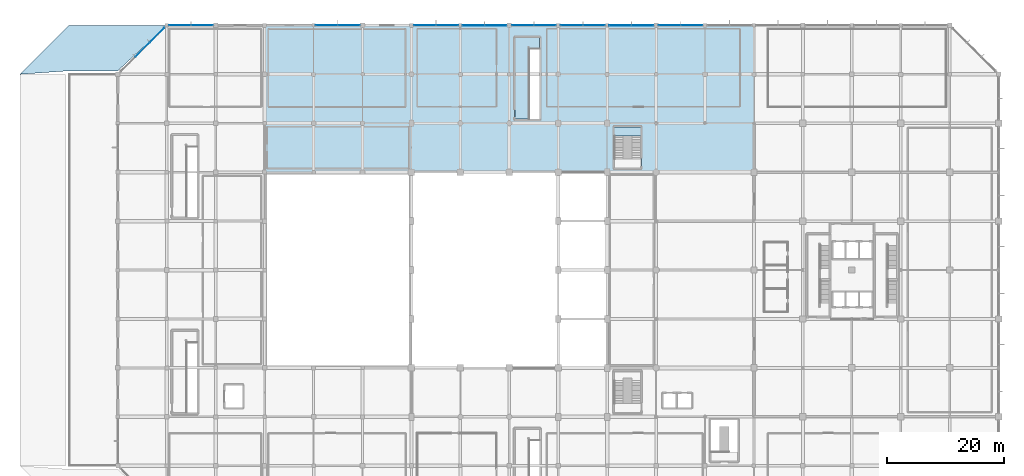
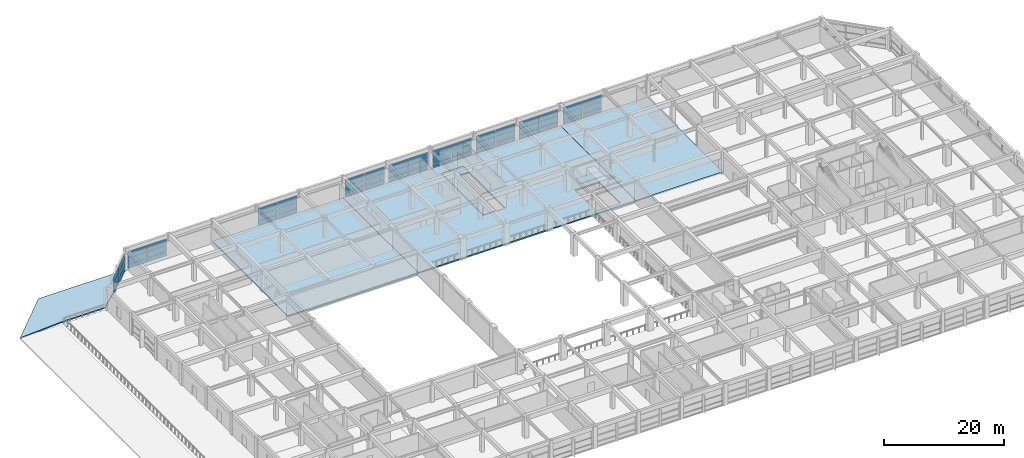
# One storey, part 38 of 56: 54 plates, 6 slabs, 10 elements without a shape of their own.
"""IFC4 building model written with IfcOpenShell, lengths in metres."""

from ifc_helpers import new_model, si_unit, direction, frame, origin, origin_2d, place, context, subcontext, project, spatial, polyline, rectangle, outline, extrude, material, layer, layer_set, type_object, element, aggregate, save


model = new_model("IFC4")

# Units and contexts
model_context = context("Model", 3, precision=1e-05, world=origin(), true_north=direction((0.0, 1.0)))
body_context = subcontext(model_context, "Body", "Model", "MODEL_VIEW")
ifc_project = project(units=[si_unit("LENGTHUNIT", "METRE"), si_unit("AREAUNIT", "SQUARE_METRE"), si_unit("VOLUMEUNIT", "CUBIC_METRE"), si_unit("PLANEANGLEUNIT", "RADIAN"), si_unit("MASSUNIT", "GRAM", prefix="KILO")], contexts=[model_context])

# Site, building, storey
site_placement = place(None, origin())
site = spatial("IfcSite", under=ifc_project, at=site_placement, CompositionType="ELEMENT")
building_placement = place(site_placement, origin())
building = spatial("IfcBuilding", under=site, at=building_placement, Name="Xuanlan Plaza Opera House", CompositionType="ELEMENT")
storey_placement = place(building_placement, frame((0.0, 0.0, 18.89990234375)))
storey = spatial("IfcBuildingStorey", under=building, at=storey_placement, Name="L04", CompositionType="ELEMENT", Elevation=18.89990234375)

# Curtain wall, plates
ifc_material_1 = material(Name="Anodised Aluminium 6063-T6 and Low-E Glass", Category="aluminium")
curtain_wall_type_1 = type_object("IfcCurtainWallType", Name="ENV-CW-CW-06", PredefinedType="USERDEFINED", material=ifc_material_1)
curtain_wall_1_placement = place(storey_placement, origin())
curtain_wall_1 = element("IfcCurtainWall", 1, at=curtain_wall_1_placement, inside=storey, type_object=curtain_wall_type_1, Name="Acoustic Glazed Wall L04-035", ObjectType="ACOUSTIC GLAZED WALL", PredefinedType="USERDEFINED")
ifc_material_2 = material(Name="Laminated Acoustic Double Glazing", Category="glass")
ifc_layer_1 = layer(ifc_material_2, 0.028076171875)
ifc_layer_set_1 = layer_set([ifc_layer_1], Name="Laminated Acoustic Double Glazing")
plate_type_1 = type_object("IfcPlateType", Name="ENV-CWP-01", PredefinedType="CURTAIN_PANEL", material=ifc_layer_set_1)
plate_1_placement = place(storey_placement, frame((90.111328125, 100.800048828125, 0.065185546875), z_axis=(0.0, 0.0, 1.0), x_axis=(-1.0, 0.0, 0.0)))
plate_1 = element("IfcPlate", 2, at=plate_1_placement, type_object=plate_type_1, Name="CW-06 panel 1.1", PredefinedType="CURTAIN_PANEL", context=body_context, shape_type="SweptSolid", body=[
    extrude(rectangle(XDim=3.70751953125, YDim=0.028076171875, at=origin_2d()), origin(), (0.0, 0.0, 1.0), 0.8525390625),
])
plate_2_placement = place(storey_placement, frame((90.111328125, 100.800048828125, 0.982421875), z_axis=(0.0, 0.0, 1.0), x_axis=(-1.0, 0.0, 0.0)))
plate_2 = element("IfcPlate", 3, at=plate_2_placement, type_object=plate_type_1, Name="CW-06 panel 1.2", PredefinedType="CURTAIN_PANEL", context=body_context, shape_type="SweptSolid", body=[
    extrude(rectangle(XDim=3.70751953125, YDim=0.028076171875, at=origin_2d()), origin(), (0.0, 0.0, 1.0), 1.235107421875),
])
plate_3_placement = place(storey_placement, frame((90.111328125, 100.800048828125, 2.282470703125), z_axis=(0.0, 0.0, 1.0), x_axis=(-1.0, 0.0, 0.0)))
plate_3 = element("IfcPlate", 4, at=plate_3_placement, type_object=plate_type_1, Name="CW-06 panel 1.3", PredefinedType="CURTAIN_PANEL", context=body_context, shape_type="SweptSolid", body=[
    extrude(rectangle(XDim=3.70751953125, YDim=0.028076171875, at=origin_2d()), origin(), (0.0, 0.0, 1.0), 1.33251953125),
])
plate_4_placement = place(storey_placement, frame((86.3388671875, 100.800048828125, 0.065185546875), z_axis=(0.0, 0.0, 1.0), x_axis=(-1.0, 0.0, 0.0)))
plate_4 = element("IfcPlate", 5, at=plate_4_placement, type_object=plate_type_1, Name="CW-06 panel 2.1", PredefinedType="CURTAIN_PANEL", context=body_context, shape_type="SweptSolid", body=[
    extrude(rectangle(XDim=3.70751953125, YDim=0.028076171875, at=origin_2d()), origin(), (0.0, 0.0, 1.0), 0.8525390625),
])
plate_5_placement = place(storey_placement, frame((86.3388671875, 100.800048828125, 0.982421875), z_axis=(0.0, 0.0, 1.0), x_axis=(-1.0, 0.0, 0.0)))
plate_5 = element("IfcPlate", 6, at=plate_5_placement, type_object=plate_type_1, Name="CW-06 panel 2.2", PredefinedType="CURTAIN_PANEL", context=body_context, shape_type="SweptSolid", body=[
    extrude(rectangle(XDim=3.70751953125, YDim=0.028076171875, at=origin_2d()), origin(), (0.0, 0.0, 1.0), 1.235107421875),
])
plate_6_placement = place(storey_placement, frame((86.3388671875, 100.800048828125, 2.282470703125), z_axis=(0.0, 0.0, 1.0), x_axis=(-1.0, 0.0, 0.0)))
plate_6 = element("IfcPlate", 7, at=plate_6_placement, type_object=plate_type_1, Name="CW-06 panel 2.3", PredefinedType="CURTAIN_PANEL", context=body_context, shape_type="SweptSolid", body=[
    extrude(rectangle(XDim=3.70751953125, YDim=0.028076171875, at=origin_2d()), origin(), (0.0, 0.0, 1.0), 1.33251953125),
])
aggregate(curtain_wall_1, [plate_1, plate_2, plate_3, plate_4, plate_5, plate_6])

curtain_wall_type_2 = type_object("IfcCurtainWallType", Name="ENV-CW-CW-05", PredefinedType="USERDEFINED", material=ifc_material_1)
curtain_wall_2_placement = place(storey_placement, origin())
curtain_wall_2 = element("IfcCurtainWall", 8, at=curtain_wall_2_placement, inside=storey, type_object=curtain_wall_type_2, Name="Acoustic Glazed Wall L04-032", ObjectType="ACOUSTIC GLAZED WALL", PredefinedType="USERDEFINED")
ifc_layer_2 = layer(ifc_material_2, 0.031982421875)
ifc_layer_set_2 = layer_set([ifc_layer_2], Name="Laminated Acoustic Double Glazing")
plate_type_2 = type_object("IfcPlateType", Name="ENV-CWP-02", PredefinedType="CURTAIN_PANEL", material=ifc_layer_set_2)
plate_7_placement = place(storey_placement, frame((115.308837890625, 100.800048828125, 0.090087890625), z_axis=(0.0, 0.0, 1.0), x_axis=(-1.0, 0.0, 0.0)))
plate_7 = element("IfcPlate", 9, at=plate_7_placement, type_object=plate_type_2, Name="CW-05 panel 1.1", PredefinedType="CURTAIN_PANEL", context=body_context, shape_type="SweptSolid", body=[
    extrude(rectangle(XDim=3.6923828125, YDim=0.031982421875, at=origin_2d()), origin(), (0.0, 0.0, 1.0), 0.81494140625),
])
plate_8_placement = place(storey_placement, frame((115.308837890625, 100.800048828125, 0.9951171875), z_axis=(0.0, 0.0, 1.0), x_axis=(-1.0, 0.0, 0.0)))
plate_8 = element("IfcPlate", 10, at=plate_8_placement, type_object=plate_type_2, Name="CW-05 panel 1.2", PredefinedType="CURTAIN_PANEL", context=body_context, shape_type="SweptSolid", body=[
    extrude(rectangle(XDim=3.6923828125, YDim=0.031982421875, at=origin_2d()), origin(), (0.0, 0.0, 1.0), 1.2099609375),
])
plate_9_placement = place(storey_placement, frame((115.308837890625, 100.800048828125, 2.295166015625), z_axis=(0.0, 0.0, 1.0), x_axis=(-1.0, 0.0, 0.0)))
plate_9 = element("IfcPlate", 11, at=plate_9_placement, type_object=plate_type_2, Name="CW-05 panel 1.3", PredefinedType="CURTAIN_PANEL", context=body_context, shape_type="SweptSolid", body=[
    extrude(rectangle(XDim=3.6923828125, YDim=0.031982421875, at=origin_2d()), origin(), (0.0, 0.0, 1.0), 1.294921875),
])
plate_10_placement = place(storey_placement, frame((111.541259765625, 100.800048828125, 0.090087890625), z_axis=(0.0, 0.0, 1.0), x_axis=(-1.0, 0.0, 0.0)))
plate_10 = element("IfcPlate", 12, at=plate_10_placement, type_object=plate_type_2, Name="CW-05 panel 2.1", PredefinedType="CURTAIN_PANEL", context=body_context, shape_type="SweptSolid", body=[
    extrude(rectangle(XDim=3.6923828125, YDim=0.031982421875, at=origin_2d()), origin(), (0.0, 0.0, 1.0), 0.81494140625),
])
plate_11_placement = place(storey_placement, frame((111.541259765625, 100.800048828125, 0.9951171875), z_axis=(0.0, 0.0, 1.0), x_axis=(-1.0, 0.0, 0.0)))
plate_11 = element("IfcPlate", 13, at=plate_11_placement, type_object=plate_type_2, Name="CW-05 panel 2.2", PredefinedType="CURTAIN_PANEL", context=body_context, shape_type="SweptSolid", body=[
    extrude(rectangle(XDim=3.6923828125, YDim=0.031982421875, at=origin_2d()), origin(), (0.0, 0.0, 1.0), 1.2099609375),
])
plate_12_placement = place(storey_placement, frame((111.541259765625, 100.800048828125, 2.295166015625), z_axis=(0.0, 0.0, 1.0), x_axis=(-1.0, 0.0, 0.0)))
plate_12 = element("IfcPlate", 14, at=plate_12_placement, type_object=plate_type_2, Name="CW-05 panel 2.3", PredefinedType="CURTAIN_PANEL", context=body_context, shape_type="SweptSolid", body=[
    extrude(rectangle(XDim=3.6923828125, YDim=0.031982421875, at=origin_2d()), origin(), (0.0, 0.0, 1.0), 1.294921875),
])
aggregate(curtain_wall_2, [plate_7, plate_8, plate_9, plate_10, plate_11, plate_12])

curtain_wall_3_placement = place(storey_placement, origin())
curtain_wall_3 = element("IfcCurtainWall", 15, at=curtain_wall_3_placement, inside=storey, type_object=curtain_wall_type_1, Name="Acoustic Glazed Wall L04-037", ObjectType="ACOUSTIC GLAZED WALL", PredefinedType="USERDEFINED")
plate_13_placement = place(storey_placement, frame((73.333740234375, 100.800048828125, 0.090087890625), z_axis=(0.0, 0.0, 1.0), x_axis=(-1.0, 0.0, 0.0)))
plate_13 = element("IfcPlate", 16, at=plate_13_placement, type_object=plate_type_2, Name="CW-06 panel 1.1", PredefinedType="CURTAIN_PANEL", context=body_context, shape_type="SweptSolid", body=[
    extrude(rectangle(XDim=3.742431640625, YDim=0.031982421875, at=origin_2d()), origin(), (0.0, 0.0, 1.0), 0.81494140625),
])
plate_14_placement = place(storey_placement, frame((73.333740234375, 100.800048828125, 0.9951171875), z_axis=(0.0, 0.0, 1.0), x_axis=(-1.0, 0.0, 0.0)))
plate_14 = element("IfcPlate", 17, at=plate_14_placement, type_object=plate_type_2, Name="CW-06 panel 1.2", PredefinedType="CURTAIN_PANEL", context=body_context, shape_type="SweptSolid", body=[
    extrude(rectangle(XDim=3.742431640625, YDim=0.031982421875, at=origin_2d()), origin(), (0.0, 0.0, 1.0), 1.2099609375),
])
plate_15_placement = place(storey_placement, frame((73.333740234375, 100.800048828125, 2.295166015625), z_axis=(0.0, 0.0, 1.0), x_axis=(-1.0, 0.0, 0.0)))
plate_15 = element("IfcPlate", 18, at=plate_15_placement, type_object=plate_type_2, Name="CW-06 panel 1.3", PredefinedType="CURTAIN_PANEL", context=body_context, shape_type="SweptSolid", body=[
    extrude(rectangle(XDim=3.742431640625, YDim=0.031982421875, at=origin_2d()), origin(), (0.0, 0.0, 1.0), 1.294921875),
])
plate_16_placement = place(storey_placement, frame((69.516357421875, 100.800048828125, 0.090087890625), z_axis=(0.0, 0.0, 1.0), x_axis=(-1.0, 0.0, 0.0)))
plate_16 = element("IfcPlate", 19, at=plate_16_placement, type_object=plate_type_2, Name="CW-06 panel 2.1", PredefinedType="CURTAIN_PANEL", context=body_context, shape_type="SweptSolid", body=[
    extrude(rectangle(XDim=3.742431640625, YDim=0.031982421875, at=origin_2d()), origin(), (0.0, 0.0, 1.0), 0.81494140625),
])
plate_17_placement = place(storey_placement, frame((69.516357421875, 100.800048828125, 0.9951171875), z_axis=(0.0, 0.0, 1.0), x_axis=(-1.0, 0.0, 0.0)))
plate_17 = element("IfcPlate", 20, at=plate_17_placement, type_object=plate_type_2, Name="CW-06 panel 2.2", PredefinedType="CURTAIN_PANEL", context=body_context, shape_type="SweptSolid", body=[
    extrude(rectangle(XDim=3.742431640625, YDim=0.031982421875, at=origin_2d()), origin(), (0.0, 0.0, 1.0), 1.2099609375),
])
plate_18_placement = place(storey_placement, frame((69.516357421875, 100.800048828125, 2.295166015625), z_axis=(0.0, 0.0, 1.0), x_axis=(-1.0, 0.0, 0.0)))
plate_18 = element("IfcPlate", 21, at=plate_18_placement, type_object=plate_type_2, Name="CW-06 panel 2.3", PredefinedType="CURTAIN_PANEL", context=body_context, shape_type="SweptSolid", body=[
    extrude(rectangle(XDim=3.742431640625, YDim=0.031982421875, at=origin_2d()), origin(), (0.0, 0.0, 1.0), 1.294921875),
])
aggregate(curtain_wall_3, [plate_13, plate_14, plate_15, plate_16, plate_17, plate_18])

curtain_wall_type_3 = type_object("IfcCurtainWallType", Name="ENV-CW-CW-04", PredefinedType="USERDEFINED", material=ifc_material_1)
curtain_wall_4_placement = place(storey_placement, origin())
curtain_wall_4 = element("IfcCurtainWall", 22, at=curtain_wall_4_placement, inside=storey, type_object=curtain_wall_type_3, Name="Unitised Curtain Wall L04-042", ObjectType="UNITISED CURTAIN WALL", PredefinedType="USERDEFINED")
plate_19_placement = place(storey_placement, frame((31.246337890625, 100.800048828125, 0.090087890625), z_axis=(0.0, 0.0, 1.0), x_axis=(-1.0, 0.0, 0.0)))
plate_19 = element("IfcPlate", 23, at=plate_19_placement, type_object=plate_type_2, Name="CW-04 panel 1.1", PredefinedType="CURTAIN_PANEL", context=body_context, shape_type="SweptSolid", body=[
    extrude(rectangle(XDim=3.717529296875, YDim=0.031982421875, at=origin_2d()), origin(), (0.0, 0.0, 1.0), 0.81494140625),
])
plate_20_placement = place(storey_placement, frame((31.246337890625, 100.800048828125, 0.9951171875), z_axis=(0.0, 0.0, 1.0), x_axis=(-1.0, 0.0, 0.0)))
plate_20 = element("IfcPlate", 24, at=plate_20_placement, type_object=plate_type_2, Name="CW-04 panel 1.2", PredefinedType="CURTAIN_PANEL", context=body_context, shape_type="SweptSolid", body=[
    extrude(rectangle(XDim=3.717529296875, YDim=0.031982421875, at=origin_2d()), origin(), (0.0, 0.0, 1.0), 1.2099609375),
])
plate_21_placement = place(storey_placement, frame((31.246337890625, 100.800048828125, 2.295166015625), z_axis=(0.0, 0.0, 1.0), x_axis=(-1.0, 0.0, 0.0)))
plate_21 = element("IfcPlate", 25, at=plate_21_placement, type_object=plate_type_2, Name="CW-04 panel 1.3", PredefinedType="CURTAIN_PANEL", context=body_context, shape_type="SweptSolid", body=[
    extrude(rectangle(XDim=3.717529296875, YDim=0.031982421875, at=origin_2d()), origin(), (0.0, 0.0, 1.0), 1.294921875),
])
plate_22_placement = place(storey_placement, frame((27.453857421875, 100.800048828125, 0.090087890625), z_axis=(0.0, 0.0, 1.0), x_axis=(-1.0, 0.0, 0.0)))
plate_22 = element("IfcPlate", 26, at=plate_22_placement, type_object=plate_type_2, Name="CW-04 panel 2.1", PredefinedType="CURTAIN_PANEL", context=body_context, shape_type="SweptSolid", body=[
    extrude(rectangle(XDim=3.717529296875, YDim=0.031982421875, at=origin_2d()), origin(), (0.0, 0.0, 1.0), 0.81494140625),
])
plate_23_placement = place(storey_placement, frame((27.453857421875, 100.800048828125, 0.9951171875), z_axis=(0.0, 0.0, 1.0), x_axis=(-1.0, 0.0, 0.0)))
plate_23 = element("IfcPlate", 27, at=plate_23_placement, type_object=plate_type_2, Name="CW-04 panel 2.2", PredefinedType="CURTAIN_PANEL", context=body_context, shape_type="SweptSolid", body=[
    extrude(rectangle(XDim=3.717529296875, YDim=0.031982421875, at=origin_2d()), origin(), (0.0, 0.0, 1.0), 1.2099609375),
])
plate_24_placement = place(storey_placement, frame((27.453857421875, 100.800048828125, 2.295166015625), z_axis=(0.0, 0.0, 1.0), x_axis=(-1.0, 0.0, 0.0)))
plate_24 = element("IfcPlate", 28, at=plate_24_placement, type_object=plate_type_2, Name="CW-04 panel 2.3", PredefinedType="CURTAIN_PANEL", context=body_context, shape_type="SweptSolid", body=[
    extrude(rectangle(XDim=3.717529296875, YDim=0.031982421875, at=origin_2d()), origin(), (0.0, 0.0, 1.0), 1.294921875),
])
aggregate(curtain_wall_4, [plate_19, plate_20, plate_21, plate_22, plate_23, plate_24])

curtain_wall_5_placement = place(storey_placement, origin())
curtain_wall_5 = element("IfcCurtainWall", 29, at=curtain_wall_5_placement, inside=storey, type_object=curtain_wall_type_2, Name="Acoustic Glazed Wall L04-034", ObjectType="ACOUSTIC GLAZED WALL", PredefinedType="USERDEFINED")
ifc_layer_3 = layer(ifc_material_2, 0.035888671875)
ifc_layer_set_3 = layer_set([ifc_layer_3], Name="Laminated Acoustic Double Glazing")
plate_type_3 = type_object("IfcPlateType", Name="ENV-CWP-03", PredefinedType="CURTAIN_PANEL", material=ifc_layer_set_3)
plate_25_placement = place(storey_placement, frame((98.530029296875, 100.800048828125, 0.080078125), z_axis=(0.0, 0.0, 1.0), x_axis=(-1.0, 0.0, 0.0)))
plate_25 = element("IfcPlate", 30, at=plate_25_placement, type_object=plate_type_3, Name="CW-05 panel 1.1", PredefinedType="CURTAIN_PANEL", context=body_context, shape_type="SweptSolid", body=[
    extrude(rectangle(XDim=3.719970703125, YDim=0.035888671875, at=origin_2d()), origin(), (0.0, 0.0, 1.0), 0.830078125),
])
plate_26_placement = place(storey_placement, frame((98.530029296875, 100.800048828125, 0.990234375), z_axis=(0.0, 0.0, 1.0), x_axis=(-1.0, 0.0, 0.0)))
plate_26 = element("IfcPlate", 31, at=plate_26_placement, type_object=plate_type_3, Name="CW-05 panel 1.2", PredefinedType="CURTAIN_PANEL", context=body_context, shape_type="SweptSolid", body=[
    extrude(rectangle(XDim=3.719970703125, YDim=0.035888671875, at=origin_2d()), origin(), (0.0, 0.0, 1.0), 1.219970703125),
])
plate_27_placement = place(storey_placement, frame((98.530029296875, 100.800048828125, 2.2900390625), z_axis=(0.0, 0.0, 1.0), x_axis=(-1.0, 0.0, 0.0)))
plate_27 = element("IfcPlate", 32, at=plate_27_placement, type_object=plate_type_3, Name="CW-05 panel 1.3", PredefinedType="CURTAIN_PANEL", context=body_context, shape_type="SweptSolid", body=[
    extrude(rectangle(XDim=3.719970703125, YDim=0.035888671875, at=origin_2d()), origin(), (0.0, 0.0, 1.0), 1.31005859375),
])
plate_28_placement = place(storey_placement, frame((94.719970703125, 100.800048828125, 0.080078125), z_axis=(0.0, 0.0, 1.0), x_axis=(-1.0, 0.0, 0.0)))
plate_28 = element("IfcPlate", 33, at=plate_28_placement, type_object=plate_type_3, Name="CW-05 panel 2.1", PredefinedType="CURTAIN_PANEL", context=body_context, shape_type="SweptSolid", body=[
    extrude(rectangle(XDim=3.719970703125, YDim=0.035888671875, at=origin_2d()), origin(), (0.0, 0.0, 1.0), 0.830078125),
])
plate_29_placement = place(storey_placement, frame((94.719970703125, 100.800048828125, 0.990234375), z_axis=(0.0, 0.0, 1.0), x_axis=(-1.0, 0.0, 0.0)))
plate_29 = element("IfcPlate", 34, at=plate_29_placement, type_object=plate_type_3, Name="CW-05 panel 2.2", PredefinedType="CURTAIN_PANEL", context=body_context, shape_type="SweptSolid", body=[
    extrude(rectangle(XDim=3.719970703125, YDim=0.035888671875, at=origin_2d()), origin(), (0.0, 0.0, 1.0), 1.219970703125),
])
plate_30_placement = place(storey_placement, frame((94.719970703125, 100.800048828125, 2.2900390625), z_axis=(0.0, 0.0, 1.0), x_axis=(-1.0, 0.0, 0.0)))
plate_30 = element("IfcPlate", 35, at=plate_30_placement, type_object=plate_type_3, Name="CW-05 panel 2.3", PredefinedType="CURTAIN_PANEL", context=body_context, shape_type="SweptSolid", body=[
    extrude(rectangle(XDim=3.719970703125, YDim=0.035888671875, at=origin_2d()), origin(), (0.0, 0.0, 1.0), 1.31005859375),
])
aggregate(curtain_wall_5, [plate_25, plate_26, plate_27, plate_28, plate_29, plate_30])

curtain_wall_type_4 = type_object("IfcCurtainWallType", Name="ENV-CW-CW-01", PredefinedType="USERDEFINED", material=ifc_material_1)
curtain_wall_6_placement = place(storey_placement, origin())
curtain_wall_6 = element("IfcCurtainWall", 36, at=curtain_wall_6_placement, inside=storey, type_object=curtain_wall_type_4, Name="Unitised Curtain Wall L04-039", ObjectType="UNITISED CURTAIN WALL", PredefinedType="USERDEFINED")
plate_31_placement = place(storey_placement, frame((56.4423828125, 100.800048828125, 0.080078125), z_axis=(0.0, 0.0, 1.0), x_axis=(-1.0, 0.0, 0.0)))
plate_31 = element("IfcPlate", 37, at=plate_31_placement, type_object=plate_type_3, Name="CW-01 panel 1.1", PredefinedType="CURTAIN_PANEL", context=body_context, shape_type="SweptSolid", body=[
    extrude(rectangle(XDim=3.695068359375, YDim=0.035888671875, at=origin_2d()), origin(), (0.0, 0.0, 1.0), 0.830078125),
])
plate_32_placement = place(storey_placement, frame((56.4423828125, 100.800048828125, 0.990234375), z_axis=(0.0, 0.0, 1.0), x_axis=(-1.0, 0.0, 0.0)))
plate_32 = element("IfcPlate", 38, at=plate_32_placement, type_object=plate_type_3, Name="CW-01 panel 1.2", PredefinedType="CURTAIN_PANEL", context=body_context, shape_type="SweptSolid", body=[
    extrude(rectangle(XDim=3.695068359375, YDim=0.035888671875, at=origin_2d()), origin(), (0.0, 0.0, 1.0), 1.219970703125),
])
plate_33_placement = place(storey_placement, frame((56.4423828125, 100.800048828125, 2.2900390625), z_axis=(0.0, 0.0, 1.0), x_axis=(-1.0, 0.0, 0.0)))
plate_33 = element("IfcPlate", 39, at=plate_33_placement, type_object=plate_type_3, Name="CW-01 panel 1.3", PredefinedType="CURTAIN_PANEL", context=body_context, shape_type="SweptSolid", body=[
    extrude(rectangle(XDim=3.695068359375, YDim=0.035888671875, at=origin_2d()), origin(), (0.0, 0.0, 1.0), 1.31005859375),
])
plate_34_placement = place(storey_placement, frame((52.657470703125, 100.800048828125, 0.080078125), z_axis=(0.0, 0.0, 1.0), x_axis=(-1.0, 0.0, 0.0)))
plate_34 = element("IfcPlate", 40, at=plate_34_placement, type_object=plate_type_3, Name="CW-01 panel 2.1", PredefinedType="CURTAIN_PANEL", context=body_context, shape_type="SweptSolid", body=[
    extrude(rectangle(XDim=3.695068359375, YDim=0.035888671875, at=origin_2d()), origin(), (0.0, 0.0, 1.0), 0.830078125),
])
plate_35_placement = place(storey_placement, frame((52.657470703125, 100.800048828125, 0.990234375), z_axis=(0.0, 0.0, 1.0), x_axis=(-1.0, 0.0, 0.0)))
plate_35 = element("IfcPlate", 41, at=plate_35_placement, type_object=plate_type_3, Name="CW-01 panel 2.2", PredefinedType="CURTAIN_PANEL", context=body_context, shape_type="SweptSolid", body=[
    extrude(rectangle(XDim=3.695068359375, YDim=0.035888671875, at=origin_2d()), origin(), (0.0, 0.0, 1.0), 1.219970703125),
])
plate_36_placement = place(storey_placement, frame((52.657470703125, 100.800048828125, 2.2900390625), z_axis=(0.0, 0.0, 1.0), x_axis=(-1.0, 0.0, 0.0)))
plate_36 = element("IfcPlate", 42, at=plate_36_placement, type_object=plate_type_3, Name="CW-01 panel 2.3", PredefinedType="CURTAIN_PANEL", context=body_context, shape_type="SweptSolid", body=[
    extrude(rectangle(XDim=3.695068359375, YDim=0.035888671875, at=origin_2d()), origin(), (0.0, 0.0, 1.0), 1.31005859375),
])
aggregate(curtain_wall_6, [plate_31, plate_32, plate_33, plate_34, plate_35, plate_36])

curtain_wall_7_placement = place(storey_placement, origin())
curtain_wall_7 = element("IfcCurtainWall", 43, at=curtain_wall_7_placement, inside=storey, type_object=curtain_wall_type_2, Name="Acoustic Glazed Wall L04-036", ObjectType="ACOUSTIC GLAZED WALL", PredefinedType="USERDEFINED")
ifc_layer_4 = layer(ifc_material_2, 0.0400390625)
ifc_layer_set_4 = layer_set([ifc_layer_4], Name="Laminated Acoustic Double Glazing")
plate_type_4 = type_object("IfcPlateType", Name="ENV-CWP-04", PredefinedType="CURTAIN_PANEL", material=ifc_layer_set_4)
plate_37_placement = place(storey_placement, frame((81.6474609375, 100.800048828125, 0.0751953125), z_axis=(0.0, 0.0, 1.0), x_axis=(-1.0, 0.0, 0.0)))
plate_37 = element("IfcPlate", 44, at=plate_37_placement, type_object=plate_type_4, Name="CW-05 panel 1.1", PredefinedType="CURTAIN_PANEL", context=body_context, shape_type="SweptSolid", body=[
    extrude(rectangle(XDim=3.72509765625, YDim=0.0400390625, at=origin_2d()), origin(), (0.0, 0.0, 1.0), 0.83740234375),
])
plate_38_placement = place(storey_placement, frame((81.6474609375, 100.800048828125, 0.987548828125), z_axis=(0.0, 0.0, 1.0), x_axis=(-1.0, 0.0, 0.0)))
plate_38 = element("IfcPlate", 45, at=plate_38_placement, type_object=plate_type_4, Name="CW-05 panel 1.2", PredefinedType="CURTAIN_PANEL", context=body_context, shape_type="SweptSolid", body=[
    extrude(rectangle(XDim=3.72509765625, YDim=0.0400390625, at=origin_2d()), origin(), (0.0, 0.0, 1.0), 1.22509765625),
])
plate_39_placement = place(storey_placement, frame((81.6474609375, 100.800048828125, 2.28759765625), z_axis=(0.0, 0.0, 1.0), x_axis=(-1.0, 0.0, 0.0)))
plate_39 = element("IfcPlate", 46, at=plate_39_placement, type_object=plate_type_4, Name="CW-05 panel 1.3", PredefinedType="CURTAIN_PANEL", context=body_context, shape_type="SweptSolid", body=[
    extrude(rectangle(XDim=3.72509765625, YDim=0.0400390625, at=origin_2d()), origin(), (0.0, 0.0, 1.0), 1.3173828125),
])
plate_40_placement = place(storey_placement, frame((77.8525390625, 100.800048828125, 0.0751953125), z_axis=(0.0, 0.0, 1.0), x_axis=(-1.0, 0.0, 0.0)))
plate_40 = element("IfcPlate", 47, at=plate_40_placement, type_object=plate_type_4, Name="CW-05 panel 2.1", PredefinedType="CURTAIN_PANEL", context=body_context, shape_type="SweptSolid", body=[
    extrude(rectangle(XDim=3.72509765625, YDim=0.0400390625, at=origin_2d()), origin(), (0.0, 0.0, 1.0), 0.83740234375),
])
plate_41_placement = place(storey_placement, frame((77.8525390625, 100.800048828125, 0.987548828125), z_axis=(0.0, 0.0, 1.0), x_axis=(-1.0, 0.0, 0.0)))
plate_41 = element("IfcPlate", 48, at=plate_41_placement, type_object=plate_type_4, Name="CW-05 panel 2.2", PredefinedType="CURTAIN_PANEL", context=body_context, shape_type="SweptSolid", body=[
    extrude(rectangle(XDim=3.72509765625, YDim=0.0400390625, at=origin_2d()), origin(), (0.0, 0.0, 1.0), 1.22509765625),
])
plate_42_placement = place(storey_placement, frame((77.8525390625, 100.800048828125, 2.28759765625), z_axis=(0.0, 0.0, 1.0), x_axis=(-1.0, 0.0, 0.0)))
plate_42 = element("IfcPlate", 49, at=plate_42_placement, type_object=plate_type_4, Name="CW-05 panel 2.3", PredefinedType="CURTAIN_PANEL", context=body_context, shape_type="SweptSolid", body=[
    extrude(rectangle(XDim=3.72509765625, YDim=0.0400390625, at=origin_2d()), origin(), (0.0, 0.0, 1.0), 1.3173828125),
])
aggregate(curtain_wall_7, [plate_37, plate_38, plate_39, plate_40, plate_41, plate_42])

curtain_wall_8_placement = place(storey_placement, origin())
curtain_wall_8 = element("IfcCurtainWall", 50, at=curtain_wall_8_placement, inside=storey, type_object=curtain_wall_type_1, Name="Acoustic Glazed Wall L04-033", ObjectType="ACOUSTIC GLAZED WALL", PredefinedType="USERDEFINED")
ifc_layer_5 = layer(ifc_material_2, 0.0439453125)
ifc_layer_set_5 = layer_set([ifc_layer_5], Name="Laminated Acoustic Double Glazing")
plate_type_5 = type_object("IfcPlateType", Name="ENV-CWP-05", PredefinedType="CURTAIN_PANEL", material=ifc_layer_set_5)
plate_43_placement = place(storey_placement, frame((106.844970703125, 100.800048828125, 0.0703125), z_axis=(0.0, 0.0, 1.0), x_axis=(-1.0, 0.0, 0.0)))
plate_43 = element("IfcPlate", 51, at=plate_43_placement, type_object=plate_type_5, Name="CW-06 panel 1.1", PredefinedType="CURTAIN_PANEL", context=body_context, shape_type="SweptSolid", body=[
    extrude(rectangle(XDim=3.7099609375, YDim=0.0439453125, at=origin_2d()), origin(), (0.0, 0.0, 1.0), 0.844970703125),
])
plate_44_placement = place(storey_placement, frame((106.844970703125, 100.800048828125, 0.985107421875), z_axis=(0.0, 0.0, 1.0), x_axis=(-1.0, 0.0, 0.0)))
plate_44 = element("IfcPlate", 52, at=plate_44_placement, type_object=plate_type_5, Name="CW-06 panel 1.2", PredefinedType="CURTAIN_PANEL", context=body_context, shape_type="SweptSolid", body=[
    extrude(rectangle(XDim=3.7099609375, YDim=0.0439453125, at=origin_2d()), origin(), (0.0, 0.0, 1.0), 1.22998046875),
])
plate_45_placement = place(storey_placement, frame((106.844970703125, 100.800048828125, 2.28515625), z_axis=(0.0, 0.0, 1.0), x_axis=(-1.0, 0.0, 0.0)))
plate_45 = element("IfcPlate", 53, at=plate_45_placement, type_object=plate_type_5, Name="CW-06 panel 1.3", PredefinedType="CURTAIN_PANEL", context=body_context, shape_type="SweptSolid", body=[
    extrude(rectangle(XDim=3.7099609375, YDim=0.0439453125, at=origin_2d()), origin(), (0.0, 0.0, 1.0), 1.324951171875),
])
plate_46_placement = place(storey_placement, frame((103.054931640625, 100.800048828125, 0.0703125), z_axis=(0.0, 0.0, 1.0), x_axis=(-1.0, 0.0, 0.0)))
plate_46 = element("IfcPlate", 54, at=plate_46_placement, type_object=plate_type_5, Name="CW-06 panel 2.1", PredefinedType="CURTAIN_PANEL", context=body_context, shape_type="SweptSolid", body=[
    extrude(rectangle(XDim=3.7099609375, YDim=0.0439453125, at=origin_2d()), origin(), (0.0, 0.0, 1.0), 0.844970703125),
])
plate_47_placement = place(storey_placement, frame((103.054931640625, 100.800048828125, 0.985107421875), z_axis=(0.0, 0.0, 1.0), x_axis=(-1.0, 0.0, 0.0)))
plate_47 = element("IfcPlate", 55, at=plate_47_placement, type_object=plate_type_5, Name="CW-06 panel 2.2", PredefinedType="CURTAIN_PANEL", context=body_context, shape_type="SweptSolid", body=[
    extrude(rectangle(XDim=3.7099609375, YDim=0.0439453125, at=origin_2d()), origin(), (0.0, 0.0, 1.0), 1.22998046875),
])
plate_48_placement = place(storey_placement, frame((103.054931640625, 100.800048828125, 2.28515625), z_axis=(0.0, 0.0, 1.0), x_axis=(-1.0, 0.0, 0.0)))
plate_48 = element("IfcPlate", 56, at=plate_48_placement, type_object=plate_type_5, Name="CW-06 panel 2.3", PredefinedType="CURTAIN_PANEL", context=body_context, shape_type="SweptSolid", body=[
    extrude(rectangle(XDim=3.7099609375, YDim=0.0439453125, at=origin_2d()), origin(), (0.0, 0.0, 1.0), 1.324951171875),
])
aggregate(curtain_wall_8, [plate_43, plate_44, plate_45, plate_46, plate_47, plate_48])

curtain_wall_9_placement = place(storey_placement, origin())
curtain_wall_9 = element("IfcCurtainWall", 57, at=curtain_wall_9_placement, inside=storey, type_object=curtain_wall_type_4, Name="Unitised Curtain Wall L04-043", ObjectType="UNITISED CURTAIN WALL", PredefinedType="USERDEFINED")
plate_49_placement = place(storey_placement, frame((23.53662109375, 99.136474609375, 0.0703125), z_axis=(0.0, 0.0, 1.0), x_axis=(-0.707106781187, -0.707106781187, 0.0)))
plate_49 = element("IfcPlate", 58, at=plate_49_placement, type_object=plate_type_5, Name="CW-01 panel 1.1", PredefinedType="CURTAIN_PANEL", context=body_context, shape_type="SweptSolid", body=[
    extrude(rectangle(XDim=3.41650390625, YDim=0.0439453125, at=origin_2d()), origin(), (0.0, 0.0, 1.0), 0.844970703125),
])
plate_50_placement = place(storey_placement, frame((23.53662109375, 99.136474609375, 0.985107421875), z_axis=(0.0, 0.0, 1.0), x_axis=(-0.707106781187, -0.707106781187, 0.0)))
plate_50 = element("IfcPlate", 59, at=plate_50_placement, type_object=plate_type_5, Name="CW-01 panel 1.2", PredefinedType="CURTAIN_PANEL", context=body_context, shape_type="SweptSolid", body=[
    extrude(rectangle(XDim=3.41650390625, YDim=0.0439453125, at=origin_2d()), origin(), (0.0, 0.0, 1.0), 1.22998046875),
])
plate_51_placement = place(storey_placement, frame((23.53662109375, 99.136474609375, 2.28515625), z_axis=(0.0, 0.0, 1.0), x_axis=(-0.707106781187, -0.707106781187, 0.0)))
plate_51 = element("IfcPlate", 60, at=plate_51_placement, type_object=plate_type_5, Name="CW-01 panel 1.3", PredefinedType="CURTAIN_PANEL", context=body_context, shape_type="SweptSolid", body=[
    extrude(rectangle(XDim=3.41650390625, YDim=0.0439453125, at=origin_2d()), origin(), (0.0, 0.0, 1.0), 1.324951171875),
])
plate_52_placement = place(storey_placement, frame((21.050048828125, 96.64990234375, 0.0703125), z_axis=(0.0, 0.0, 1.0), x_axis=(-0.707106781187, -0.707106781187, 0.0)))
plate_52 = element("IfcPlate", 61, at=plate_52_placement, type_object=plate_type_5, Name="CW-01 panel 2.1", PredefinedType="CURTAIN_PANEL", context=body_context, shape_type="SweptSolid", body=[
    extrude(rectangle(XDim=3.45654296875, YDim=0.0439453125, at=origin_2d()), origin(), (0.0, 0.0, 1.0), 0.844970703125),
])
plate_53_placement = place(storey_placement, frame((21.050048828125, 96.64990234375, 0.985107421875), z_axis=(0.0, 0.0, 1.0), x_axis=(-0.707106781187, -0.707106781187, 0.0)))
plate_53 = element("IfcPlate", 62, at=plate_53_placement, type_object=plate_type_5, Name="CW-01 panel 2.2", PredefinedType="CURTAIN_PANEL", context=body_context, shape_type="SweptSolid", body=[
    extrude(rectangle(XDim=3.45654296875, YDim=0.0439453125, at=origin_2d()), origin(), (0.0, 0.0, 1.0), 1.22998046875),
])
plate_54_placement = place(storey_placement, frame((21.050048828125, 96.64990234375, 2.28515625), z_axis=(0.0, 0.0, 1.0), x_axis=(-0.707106781187, -0.707106781187, 0.0)))
plate_54 = element("IfcPlate", 63, at=plate_54_placement, type_object=plate_type_5, Name="CW-01 panel 2.3", PredefinedType="CURTAIN_PANEL", context=body_context, shape_type="SweptSolid", body=[
    extrude(rectangle(XDim=3.45654296875, YDim=0.0439453125, at=origin_2d()), origin(), (0.0, 0.0, 1.0), 1.324951171875),
])
aggregate(curtain_wall_9, [plate_49, plate_50, plate_51, plate_52, plate_53, plate_54])

# Stair, slab
ifc_material_3 = material(Name="Concrete C40", Category="concrete")
stair_type = type_object("IfcStairType", Name="INT-ST-STR-F130", PredefinedType="HALF_TURN_STAIR", material=ifc_material_3)
stair_placement = place(storey_placement, origin())
stair = element("IfcStair", 64, at=stair_placement, inside=storey, type_object=stair_type, Name="Grand Foyer Feature Stair ST-F2 L04", PredefinedType="HALF_TURN_STAIR")
ifc_layer_6 = layer(ifc_material_3, 0.18994140625)
ifc_layer_set_6 = layer_set([ifc_layer_6], Name="Concrete C40")
slab_type_1 = type_object("IfcSlabType", Name="INT-SLB-LND-19", PredefinedType="LANDING", material=ifc_layer_set_6)
slab_1_placement = place(storey_placement, frame((0.0, 0.0, 2.06005859375)))
slab_1 = element("IfcSlab", 65, at=slab_1_placement, type_object=slab_type_1, Name="ST-F2-L04 landing 1", PredefinedType="LANDING", context=body_context, shape_type="SweptSolid", body=[
    extrude(outline(polyline([(102.0, 81.77490234375), (106.60009765625, 81.77490234375), (106.60009765625, 83.3798828125), (102.0, 83.3798828125), (102.0, 81.77490234375)])), origin(), (0.0, 0.0, 1.0), 0.18994140625),
])
aggregate(stair, [slab_1])

# Slabs
ifc_layer_7 = layer(ifc_material_3, 0.199951171875)
ifc_layer_set_7 = layer_set([ifc_layer_7], Name="Concrete C40")
slab_type_2 = type_object("IfcSlabType", Name="INT-SLB-LND-20", PredefinedType="LANDING", material=ifc_layer_set_7)
slab_2_placement = place(storey_placement, frame((0.0, 0.0, -0.199951171875)))
element("IfcSlab", 66, at=slab_2_placement, inside=storey, type_object=slab_type_2, Name="Top Stairwell Arrival Landing ST-P4 L04", PredefinedType="LANDING", context=body_context, shape_type="SweptSolid", body=[
    extrude(outline(polyline([(85.0, 84.699951171875), (87.39990234375, 84.699951171875), (87.39990234375, 96.77490234375), (89.199951171875, 96.77490234375), (89.199951171875, 98.699951171875), (85.0, 98.699951171875), (85.0, 84.699951171875)])), origin(), (0.0, 0.0, 1.0), 0.199951171875),
])
ifc_layer_8 = layer(ifc_material_3, 0.25)
ifc_layer_set_8 = layer_set([ifc_layer_8], Name="Concrete C40")
slab_type_3 = type_object("IfcSlabType", Name="STR-SLB-RF-01", PredefinedType="ROOF", material=ifc_layer_set_8)
slab_3_placement = place(storey_placement, frame((0.0, 0.0, -0.25)))
element("IfcSlab", 67, at=slab_3_placement, inside=storey, type_object=slab_type_3, Name="North-West Upper Setback Roof Slab", PredefinedType="ROOF", context=body_context, shape_type="SweptSolid", body=[
    extrude(outline(polyline([(0.0, 92.39990234375), (8.39990234375, 93.0), (16.800048828125, 93.0), (25.199951171875, 100.800048828125), (8.39990234375, 100.800048828125), (0.0, 92.39990234375)])), origin(), (0.0, 0.0, 1.0), 0.25),
])
ifc_layer_9 = layer(ifc_material_3, 0.260009765625)
ifc_layer_set_9 = layer_set([ifc_layer_9], Name="Concrete C40")
slab_type_4 = type_object("IfcSlabType", Name="STR-SLB-SL-02", PredefinedType="FLOOR", material=ifc_layer_set_9)
slab_4_placement = place(storey_placement, frame((0.0, 0.0, -0.260009765625)))
element("IfcSlab", 68, at=slab_4_placement, inside=storey, type_object=slab_type_4, Name="Storey L04 Structural Floor Slab Zone 06", PredefinedType="FLOOR", context=body_context, shape_type="SweptSolid", body=[
    extrude(outline(polyline([(67.199951171875, 100.800048828125), (67.199951171875, 75.60009765625), (42.0, 75.60009765625), (42.0, 100.800048828125), (67.199951171875, 100.800048828125)])), origin(), (0.0, 0.0, 1.0), 0.260009765625),
])
slab_5_placement = place(storey_placement, frame((0.0, 0.0, -0.260009765625)))
element("IfcSlab", 69, at=slab_5_placement, inside=storey, type_object=slab_type_4, Name="Storey L04 Structural Floor Slab Zone 09", PredefinedType="FLOOR", context=body_context, shape_type="SweptSolid", body=[
    extrude(outline(polyline([(109.199951171875, 100.800048828125), (109.199951171875, 75.60009765625), (100.800048828125, 75.60009765625), (67.199951171875, 75.60009765625), (67.199951171875, 100.800048828125), (109.199951171875, 100.800048828125)]), holes=[polyline([(85.0, 84.699951171875), (89.199951171875, 84.699951171875), (89.199951171875, 98.699951171875), (85.0, 98.699951171875), (85.0, 84.699951171875)]), polyline([(106.60009765625, 83.3798828125), (102.0, 83.3798828125), (102.0, 76.300048828125), (106.60009765625, 76.300048828125), (106.60009765625, 83.3798828125)])]), origin(), (0.0, 0.0, 1.0), 0.260009765625),
])
slab_6_placement = place(storey_placement, frame((0.0, 0.0, -0.260009765625)))
element("IfcSlab", 70, at=slab_6_placement, inside=storey, type_object=slab_type_4, Name="Storey L04 Structural Floor Slab Zone 12", PredefinedType="FLOOR", context=body_context, shape_type="SweptSolid", body=[
    extrude(outline(polyline([(126.0, 100.800048828125), (126.0, 75.60009765625), (109.199951171875, 75.60009765625), (109.199951171875, 100.800048828125), (126.0, 100.800048828125)])), origin(), (0.0, 0.0, 1.0), 0.260009765625),
])

save(model, "model.ifc")
